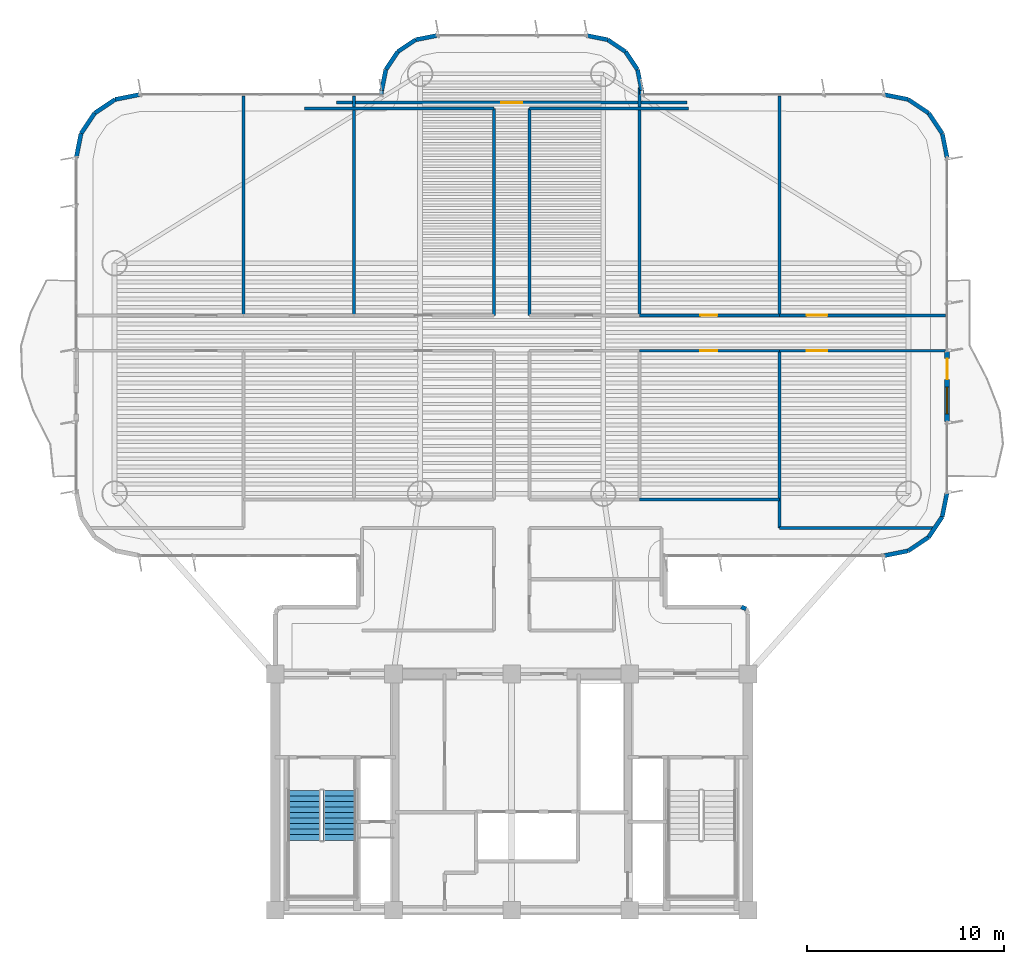
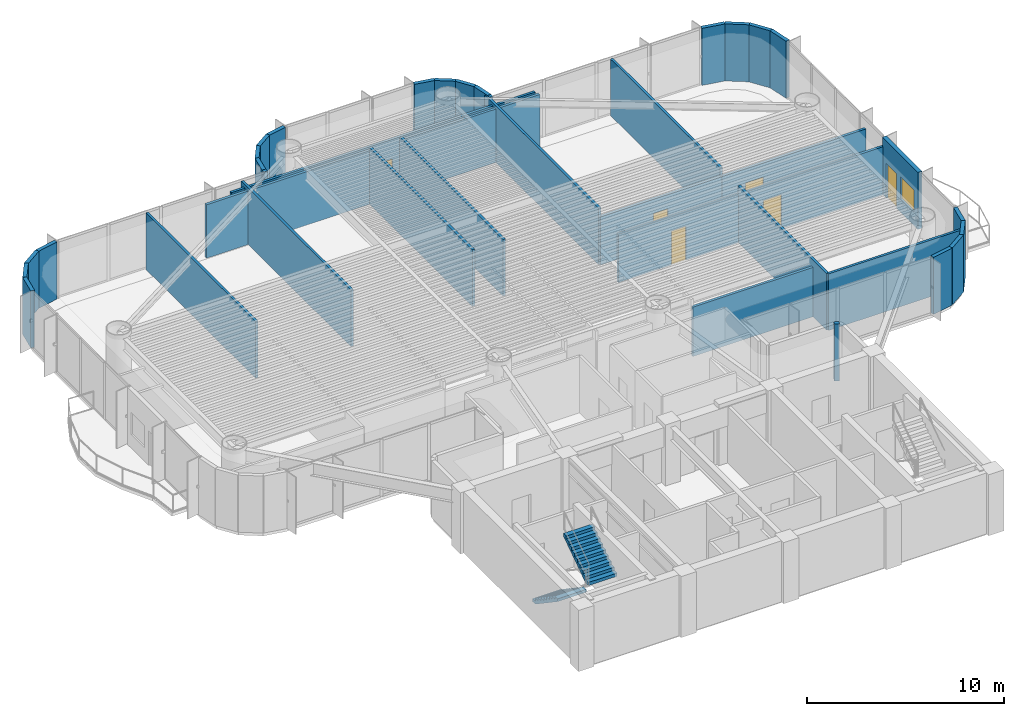
# One storey, part 11 of 16: 40 walls, 6 doors, 2 stair flights, 1 window, 7 openings, 1 element without a shape of its own.
"""IFC4 building model written with IfcOpenShell, lengths in metres."""

from ifc_helpers import new_model, si_unit, direction, frame, frame_2d, origin, origin_2d, place, context, subcontext, project, spatial, polyline, rectangle, outline, extrude, source, transform, mapped, material, layer, layer_set, type_object, element, fill, aggregate, save


model = new_model("IFC4")

# Units and contexts
model_context = context("Model", 3, precision=1e-05, world=origin(), true_north=direction((0.0, 1.0)))
body_context = subcontext(model_context, "Body", "Model", "MODEL_VIEW")
ifc_project = project(units=[si_unit("LENGTHUNIT", "METRE"), si_unit("AREAUNIT", "SQUARE_METRE"), si_unit("VOLUMEUNIT", "CUBIC_METRE"), si_unit("PLANEANGLEUNIT", "RADIAN"), si_unit("MASSUNIT", "GRAM", prefix="KILO")], contexts=[model_context])

# Site, building, storey
site_placement = place(None, origin())
site = spatial("IfcSite", under=ifc_project, at=site_placement, CompositionType="ELEMENT")
building_placement = place(site_placement, origin())
building = spatial("IfcBuilding", under=site, at=building_placement, Name="Brelvock Crest Care Tower", CompositionType="ELEMENT")
storey_placement = place(building_placement, frame((0.0, 0.0, 123.840087890625)))
storey = spatial("IfcBuildingStorey", under=building, at=storey_placement, Name="L31", CompositionType="ELEMENT", Elevation=123.840087890625)

# Wall, openings, door, window
ifc_material_1 = material(Name="Precast concrete N40 (40 MPa)", Category="concrete")
ifc_layer_1 = layer(ifc_material_1, 0.239990234375, Name="WL-EX1")
ifc_layer_set_1 = layer_set([ifc_layer_1], Name="Precast concrete N40 (40 MPa)")
wall_type_1 = type_object("IfcWallType", Name="WL-EX1", PredefinedType="SOLIDWALL", material=ifc_layer_set_1)
wall_1_placement = place(storey_placement, frame((58.10009765625, 34.39990234375, 0.0), z_axis=(0.0, 0.0, 1.0), x_axis=(0.0, -1.0, 0.0)))
wall_1 = element("IfcWall", 1, at=wall_1_placement, inside=storey, type_object=wall_type_1, Name="L31 Exterior Spandrel Wall WL-BAL-L31-E", PredefinedType="SOLIDWALL", context=body_context, shape_type="SweptSolid", body=[
    extrude(rectangle(XDim=3.599853515625, YDim=0.239990234375, at=frame_2d((1.7998046875, 0.0))), origin(), (0.0, 0.0, 1.0), 3.530029296875),
])
opening_1_placement = place(wall_1_placement, frame((0.39990234375, 0.0, 0.0)))
opening_1 = element("IfcOpeningElement", 2, at=opening_1_placement, cuts=wall_1, Name="Opening BD-1", PredefinedType="OPENING", context=body_context, shape_type="SweptSolid", body=[
    extrude(rectangle(XDim=1.050048828125, YDim=2.14990234375, at=origin_2d()), frame((0.52490234375, 0.1298828125, 1.074951171875), z_axis=(0.0, -1.0, 0.0), x_axis=(1.0, 0.0, 0.0)), (0.0, 0.0, 1.0), 0.260009765625),
])
opening_2_placement = place(wall_1_placement, frame((1.85009765625, 0.0, 0.85009765625)))
opening_2 = element("IfcOpeningElement", 3, at=opening_2_placement, cuts=wall_1, Name="Opening W-01", PredefinedType="OPENING", context=body_context, shape_type="SweptSolid", body=[
    extrude(rectangle(XDim=1.35009765625, YDim=1.35009765625, at=origin_2d()), frame((0.675048828125, 0.1298828125, 0.675048828125), z_axis=(0.0, -1.0, 0.0), x_axis=(1.0, 0.0, 0.0)), (0.0, 0.0, 1.0), 0.260009765625),
])
ifc_material_2 = material(Name="Dark Glass Double Glazed Low-E", Category="glass")
door_type_1 = type_object("IfcDoorType", Name="DR-BAL1", OperationType="NOTDEFINED", PredefinedType="DOOR", material=ifc_material_2)
shared_shape_1 = source(origin(), body_context, "Body", "SweptSolid", [
    extrude(rectangle(XDim=1.050048828125, YDim=2.14990234375, at=origin_2d()), frame((0.52490234375, 0.02490234375, 1.074951171875), z_axis=(0.0, -1.0, 0.0), x_axis=(1.0, 0.0, 0.0)), (0.0, 0.0, 1.0), 0.050048828125),
])
door_1_placement = place(opening_1_placement, origin())
door_1 = element("IfcDoor", 4, at=door_1_placement, inside=storey, type_object=door_type_1, Name="L31 E Wave Balcony Glazed Door", OperationType="SINGLE_SWING_RIGHT", OverallHeight=2.14990234375, OverallWidth=1.050048828125, PredefinedType="DOOR", context=body_context, shape_type="MappedRepresentation", body=[
    mapped(shared_shape_1, transform((0.0, 0.0, 0.0), x_axis=(1.0, 0.0, 0.0), y_axis=(0.0, 1.0, 0.0), z_axis=(0.0, 0.0, 1.0), scale=1.0)),
])
fill(opening_1, door_1)
window_type = type_object("IfcWindowType", Name="WN-EX1", PartitioningType="SINGLE_PANEL", PredefinedType="WINDOW", material=ifc_material_2)
shared_shape_2 = source(origin(), body_context, "Body", "SweptSolid", [
    extrude(rectangle(XDim=1.35009765625, YDim=1.35009765625, at=origin_2d()), frame((0.675048828125, 0.030029296875, 0.675048828125), z_axis=(0.0, -1.0, 0.0), x_axis=(1.0, 0.0, 0.0)), (0.0, 0.0, 1.0), 0.06005859375),
])
window_placement = place(opening_2_placement, origin())
window = element("IfcWindow", 5, at=window_placement, inside=storey, type_object=window_type, Name="L31 E Suite Casement Window", OverallHeight=1.35009765625, OverallWidth=1.35009765625, PartitioningType="SINGLE_PANEL", PredefinedType="WINDOW", context=body_context, shape_type="MappedRepresentation", body=[
    mapped(shared_shape_2, transform((0.0, 0.0, 0.0), x_axis=(1.0, 0.0, 0.0), y_axis=(0.0, 1.0, 0.0), z_axis=(0.0, 0.0, 1.0), scale=1.0)),
])
fill(opening_2, window)

# Walls
ifc_layer_2 = layer(ifc_material_1, 0.215087890625, Name="WL-EX2")
ifc_layer_set_2 = layer_set([ifc_layer_2], Name="Precast concrete N40 (40 MPa)")
wall_type_2 = type_object("IfcWallType", Name="WL-EX2", PredefinedType="SOLIDWALL", material=ifc_layer_set_2)
for number, where, z_axis, x_axis, name in (
    (6, (13.89990234375, 44.199951171875, 0.0), (0.0, 0.0, 1.0), (0.195138390419, 0.980775717779, 0.0), "L31 Rounded Corner Wall 18"),
    (7, (14.1435546875, 45.424560546875, 0.0), (0.0, 0.0, 1.0), (0.555692485475, 0.831387912822, 0.0), "L31 Rounded Corner Wall 19"),
    (8, (14.83740234375, 46.462646484375, 0.0), (0.0, 0.0, 1.0), (0.831387912822, 0.555692485475, 0.0), "L31 Rounded Corner Wall 20"),
    (9, (15.87548828125, 47.156494140625, 0.0), (0.0, 0.0, 1.0), (0.980813122964, 0.194950295773, 0.0), "L31 Rounded Corner Wall 21"),
):
    element("IfcWall", number, at=place(storey_placement, frame(where, z_axis=z_axis, x_axis=x_axis)), inside=storey, type_object=wall_type_2, Name=name, PredefinedType="SOLIDWALL", context=body_context, shape_type="SweptSolid", body=[
        extrude(rectangle(XDim=1.24853515625, YDim=0.215087890625, at=frame_2d((0.624267578125, 0.0))), origin(), (0.0, 0.0, 1.0), 3.530029296875),
    ])
wall_2_placement = place(storey_placement, frame((29.39990234375, 47.39990234375, 0.0), z_axis=(0.0, 0.0, 1.0), x_axis=(0.0, 1.0, 0.0)))
element("IfcWall", 10, at=wall_2_placement, inside=storey, type_object=wall_type_2, Name="L31 Rounded Corner Wall 23", PredefinedType="SOLIDWALL", context=body_context, shape_type="SweptSolid", body=[
    extrude(rectangle(XDim=0.2001953125, YDim=0.215087890625, at=frame_2d((0.10009765625, 0.0))), origin(), (0.0, 0.0, 1.0), 3.530029296875),
])
wall_3_placement = place(storey_placement, frame((29.39990234375, 47.60009765625, 0.0), z_axis=(0.0, 0.0, 1.0), x_axis=(0.195127417394, 0.980777900945, 0.0)))
element("IfcWall", 11, at=wall_3_placement, inside=storey, type_object=wall_type_2, Name="L31 Rounded Corner Wall 24", PredefinedType="SOLIDWALL", context=body_context, shape_type="SweptSolid", body=[
    extrude(rectangle(XDim=1.09228515625, YDim=0.215087890625, at=frame_2d((0.546142578125, 0.0))), origin(), (0.0, 0.0, 1.0), 3.530029296875),
])
wall_4_placement = place(storey_placement, frame((29.613037109375, 48.67138671875, 0.0), z_axis=(0.0, 0.0, 1.0), x_axis=(0.555679482341, 0.831396603857, 0.0)))
element("IfcWall", 12, at=wall_4_placement, inside=storey, type_object=wall_type_2, Name="L31 Rounded Corner Wall 25", PredefinedType="SOLIDWALL", context=body_context, shape_type="SweptSolid", body=[
    extrude(rectangle(XDim=1.0927734375, YDim=0.215087890625, at=frame_2d((0.54638671875, 0.0))), origin(), (0.0, 0.0, 1.0), 3.530029296875),
])
for number, where, z_axis, x_axis, name in (
    (13, (30.22021484375, 49.579833984375, 0.0), (0.0, 0.0, 1.0), (0.831327592857, 0.555782721353, 0.0), "L31 Rounded Corner Wall 26"),
    (14, (31.12841796875, 50.18701171875, 0.0), (0.0, 0.0, 1.0), (0.980829143587, 0.194869677195, 0.0), "L31 Rounded Corner Wall 27"),
    (15, (39.800048828125, 50.39990234375, 0.0), (0.0, 0.0, 1.0), (0.980829143587, -0.194869677195, 0.0), "L31 Rounded Corner Wall 29"),
    (16, (40.87158203125, 50.18701171875, 0.0), (0.0, 0.0, 1.0), (0.831327592857, -0.555782721353, 0.0), "L31 Rounded Corner Wall 30"),
):
    element("IfcWall", number, at=place(storey_placement, frame(where, z_axis=z_axis, x_axis=x_axis)), inside=storey, type_object=wall_type_2, Name=name, PredefinedType="SOLIDWALL", context=body_context, shape_type="SweptSolid", body=[
        extrude(rectangle(XDim=1.092529296875, YDim=0.215087890625, at=frame_2d((0.54638671875, 0.0))), origin(), (0.0, 0.0, 1.0), 3.530029296875),
    ])
wall_5_placement = place(storey_placement, frame((41.77978515625, 49.579833984375, 0.0), z_axis=(0.0, 0.0, 1.0), x_axis=(0.555679482341, -0.831396603857, 0.0)))
element("IfcWall", 17, at=wall_5_placement, inside=storey, type_object=wall_type_2, Name="L31 Rounded Corner Wall 31", PredefinedType="SOLIDWALL", context=body_context, shape_type="SweptSolid", body=[
    extrude(rectangle(XDim=1.0927734375, YDim=0.215087890625, at=frame_2d((0.54638671875, 0.0))), origin(), (0.0, 0.0, 1.0), 3.530029296875),
])
wall_6_placement = place(storey_placement, frame((42.386962890625, 48.67138671875, 0.0), z_axis=(0.0, 0.0, 1.0), x_axis=(0.195127417394, -0.980777900945, 0.0)))
element("IfcWall", 18, at=wall_6_placement, inside=storey, type_object=wall_type_2, Name="L31 Rounded Corner Wall 32", PredefinedType="SOLIDWALL", context=body_context, shape_type="SweptSolid", body=[
    extrude(rectangle(XDim=1.09228515625, YDim=0.215087890625, at=frame_2d((0.546142578125, 0.0))), origin(), (0.0, 0.0, 1.0), 3.530029296875),
])
wall_7_placement = place(storey_placement, frame((42.60009765625, 47.60009765625, 0.0), z_axis=(0.0, 0.0, 1.0), x_axis=(0.0, -1.0, 0.0)))
element("IfcWall", 19, at=wall_7_placement, inside=storey, type_object=wall_type_2, Name="L31 Rounded Corner Wall 33", PredefinedType="SOLIDWALL", context=body_context, shape_type="SweptSolid", body=[
    extrude(rectangle(XDim=0.2001953125, YDim=0.215087890625, at=frame_2d((0.10009765625, 0.0))), origin(), (0.0, 0.0, 1.0), 3.530029296875),
])
for number, where, z_axis, x_axis, name in (
    (20, (54.89990234375, 47.39990234375, 0.0), (0.0, 0.0, 1.0), (0.980813122964, -0.194950295773, 0.0), "L31 Rounded Corner Wall 35"),
    (21, (56.12451171875, 47.156494140625, 0.0), (0.0, 0.0, 1.0), (0.831387912822, -0.555692485475, 0.0), "L31 Rounded Corner Wall 36"),
    (22, (57.16259765625, 46.462646484375, 0.0), (0.0, 0.0, 1.0), (0.555692485475, -0.831387912822, 0.0), "L31 Rounded Corner Wall 37"),
    (23, (57.8564453125, 45.424560546875, 0.0), (0.0, 0.0, 1.0), (0.195138390419, -0.980775717779, 0.0), "L31 Rounded Corner Wall 38"),
    (24, (58.10009765625, 27.199951171875, 0.0), (0.0, 0.0, 1.0), (-0.195138390419, -0.980775717779, 0.0), "L31 Rounded Corner Wall 40"),
    (25, (57.8564453125, 25.975341796875, 0.0), (0.0, 0.0, 1.0), (-0.555692485475, -0.831387912822, 0.0), "L31 Rounded Corner Wall 41"),
    (26, (57.16259765625, 24.937255859375, 0.0), (0.0, 0.0, 1.0), (-0.831478245117, -0.555557312883, 0.0), "L31 Rounded Corner Wall 42"),
    (27, (56.12451171875, 24.24365234375, 0.0), (0.0, 0.0, 1.0), (-0.980775717779, -0.195138390419, 0.0), "L31 Rounded Corner Wall 43"),
):
    element("IfcWall", number, at=place(storey_placement, frame(where, z_axis=z_axis, x_axis=x_axis)), inside=storey, type_object=wall_type_2, Name=name, PredefinedType="SOLIDWALL", context=body_context, shape_type="SweptSolid", body=[
        extrude(rectangle(XDim=1.24853515625, YDim=0.215087890625, at=frame_2d((0.624267578125, 0.0))), origin(), (0.0, 0.0, 1.0), 3.530029296875),
    ])
wall_8_placement = place(storey_placement, frame((47.64990234375, 21.39990234375, 0.0), z_axis=(0.0, 0.0, 1.0), x_axis=(0.924205486139, -0.381895560841, 0.0)))
element("IfcWall", 28, at=wall_8_placement, inside=storey, type_object=wall_type_2, Name="L31 Rounded Corner Wall 47", PredefinedType="SOLIDWALL", context=body_context, shape_type="SweptSolid", body=[
    extrude(rectangle(XDim=0.267822265625, YDim=0.215087890625, at=frame_2d((0.1337890625, 0.0))), origin(), (0.0, 0.0, 1.0), 3.530029296875),
])
ifc_material_3 = material(Name="Masonry Blockwork Acoustic Partition", Category="masonry")
ifc_layer_3 = layer(ifc_material_3, 0.14990234375, Name="WL-INT1")
ifc_layer_set_3 = layer_set([ifc_layer_3], Name="Masonry Blockwork Acoustic Partition")
wall_type_3 = type_object("IfcWallType", Name="WL-INT1", PredefinedType="PARTITIONING", material=ifc_layer_set_3)
wall_9_placement = place(storey_placement, frame((49.60009765625, 25.39990234375, 0.0), z_axis=(0.0, 0.0, 1.0), x_axis=(1.0, 0.0, 0.0)))
element("IfcWall", 29, at=wall_9_placement, inside=storey, type_object=wall_type_3, Name="L31 Interior Wall WL-BX-L31-SE-S", PredefinedType="PARTITIONING", context=body_context, shape_type="SweptSolid", body=[
    extrude(rectangle(XDim=7.775634765625, YDim=0.14990234375, at=frame_2d((3.8876953125, 0.0))), origin(), (0.0, 0.0, 1.0), 3.5),
])
wall_10_placement = place(storey_placement, frame((42.488037109375, 26.85009765625, 0.0), z_axis=(0.0, 0.0, 1.0), x_axis=(1.0, 0.0, 0.0)))
element("IfcWall", 30, at=wall_10_placement, inside=storey, type_object=wall_type_3, Name="L31 Interior Wall WL-BX-L31-ISE2-S", PredefinedType="PARTITIONING", context=body_context, shape_type="SweptSolid", body=[
    extrude(rectangle(XDim=7.112060546875, YDim=0.14990234375, at=frame_2d((3.55615234375, 0.0))), origin(), (0.0, 0.0, 1.0), 3.054931640625),
])

# Wall, opening, door
wall_11_placement = place(storey_placement, frame((42.488037109375, 34.39990234375, 0.0), z_axis=(0.0, 0.0, 1.0), x_axis=(1.0, 0.0, 0.0)))
wall_11 = element("IfcWall", 31, at=wall_11_placement, inside=storey, type_object=wall_type_3, Name="L31 Interior Wall WL-RM-L31-ISE2", PredefinedType="PARTITIONING", context=body_context, shape_type="SweptSolid", body=[
    extrude(rectangle(XDim=7.112060546875, YDim=0.14990234375, at=frame_2d((3.55615234375, 0.0))), origin(), (0.0, 0.0, 1.0), 2.98193359375),
])
opening_3_placement = place(wall_11_placement, frame((3.095947265625, 0.0, 0.0)))
opening_3 = element("IfcOpeningElement", 32, at=opening_3_placement, cuts=wall_11, Name="Opening ID-1", PredefinedType="OPENING", context=body_context, shape_type="SweptSolid", body=[
    extrude(rectangle(XDim=0.860107421875, YDim=2.10009765625, at=origin_2d()), frame((0.43017578125, 0.0849609375, 1.050048828125), z_axis=(0.0, -1.0, 0.0), x_axis=(1.0, 0.0, 0.0)), (0.0, 0.0, 1.0), 0.169921875),
])
ifc_material_4 = material(Name="Engineered Hardwood Timber", Category="wood")
door_type_2 = type_object("IfcDoorType", Name="DR-INT1", OperationType="NOTDEFINED", PredefinedType="DOOR", material=ifc_material_4)
shared_shape_3 = source(origin(), body_context, "Body", "SweptSolid", [
    extrude(rectangle(XDim=0.860107421875, YDim=2.10009765625, at=origin_2d()), frame((0.43017578125, 0.02490234375, 1.050048828125), z_axis=(0.0, -1.0, 0.0), x_axis=(1.0, 0.0, 0.0)), (0.0, 0.0, 1.0), 0.050048828125),
])
door_2_placement = place(opening_3_placement, origin())
door_2 = element("IfcDoor", 33, at=door_2_placement, inside=storey, type_object=door_type_2, Name="L31 Senior Telehealth Study Door ISE2", OperationType="SINGLE_SWING_LEFT", OverallHeight=2.10009765625, OverallWidth=0.860107421875, PredefinedType="DOOR", context=body_context, shape_type="MappedRepresentation", body=[
    mapped(shared_shape_3, transform((0.0, 0.0, 0.0), x_axis=(1.0, 0.0, 0.0), y_axis=(0.0, 1.0, 0.0), z_axis=(0.0, 0.0, 1.0), scale=1.0)),
])
fill(opening_3, door_2)

wall_12_placement = place(storey_placement, frame((49.60009765625, 34.39990234375, 0.0), z_axis=(0.0, 0.0, 1.0), x_axis=(1.0, 0.0, 0.0)))
wall_12 = element("IfcWall", 34, at=wall_12_placement, inside=storey, type_object=wall_type_3, Name="L31 Interior Wall WL-RM-L31-SE", PredefinedType="PARTITIONING", context=body_context, shape_type="SweptSolid", body=[
    extrude(rectangle(XDim=8.419921875, YDim=0.14990234375, at=frame_2d((4.2099609375, 0.0))), origin(), (0.0, 0.0, 1.0), 2.98193359375),
])
opening_4_placement = place(wall_12_placement, frame((1.375, 0.0, 0.0)))
opening_4 = element("IfcOpeningElement", 35, at=opening_4_placement, cuts=wall_12, Name="Opening CLD-1", PredefinedType="OPENING", context=body_context, shape_type="SweptSolid", body=[
    extrude(rectangle(XDim=1.050048828125, YDim=2.10009765625, at=origin_2d()), frame((0.52490234375, 0.0849609375, 1.050048828125), z_axis=(0.0, -1.0, 0.0), x_axis=(1.0, 0.0, 0.0)), (0.0, 0.0, 1.0), 0.169921875),
])
door_type_3 = type_object("IfcDoorType", Name="DR-CLN1", OperationType="NOTDEFINED", PredefinedType="DOOR", material=ifc_material_4)
shared_shape_4 = source(origin(), body_context, "Body", "SweptSolid", [
    extrude(rectangle(XDim=1.050048828125, YDim=2.10009765625, at=origin_2d()), frame((0.52490234375, 0.02490234375, 1.050048828125), z_axis=(0.0, -1.0, 0.0), x_axis=(1.0, 0.0, 0.0)), (0.0, 0.0, 1.0), 0.050048828125),
])
door_3_placement = place(opening_4_placement, origin())
door_3 = element("IfcDoor", 36, at=door_3_placement, inside=storey, type_object=door_type_3, Name="L31 Senior Creative Art Workshop Door SE", OperationType="SINGLE_SWING_LEFT", OverallHeight=2.10009765625, OverallWidth=1.050048828125, PredefinedType="DOOR", context=body_context, shape_type="MappedRepresentation", body=[
    mapped(shared_shape_4, transform((0.0, 0.0, 0.0), x_axis=(1.0, 0.0, 0.0), y_axis=(0.0, 1.0, 0.0), z_axis=(0.0, 0.0, 1.0), scale=1.0)),
])
fill(opening_4, door_3)

wall_13_placement = place(storey_placement, frame((42.488037109375, 36.199951171875, 0.0), z_axis=(0.0, 0.0, 1.0), x_axis=(1.0, 0.0, 0.0)))
wall_13 = element("IfcWall", 37, at=wall_13_placement, inside=storey, type_object=wall_type_3, Name="L31 Interior Wall WL-RM-L31-INE2", PredefinedType="PARTITIONING", context=body_context, shape_type="SweptSolid", body=[
    extrude(rectangle(XDim=7.112060546875, YDim=0.14990234375, at=frame_2d((3.55615234375, 0.0))), origin(), (0.0, 0.0, 1.0), 2.98193359375),
])
opening_5_placement = place(wall_13_placement, frame((3.095947265625, 0.0, 0.0)))
opening_5 = element("IfcOpeningElement", 38, at=opening_5_placement, cuts=wall_13, Name="Opening ID-1", PredefinedType="OPENING", context=body_context, shape_type="SweptSolid", body=[
    extrude(rectangle(XDim=0.860107421875, YDim=2.10009765625, at=origin_2d()), frame((0.43017578125, 0.0849609375, 1.050048828125), z_axis=(0.0, -1.0, 0.0), x_axis=(1.0, 0.0, 0.0)), (0.0, 0.0, 1.0), 0.169921875),
])
door_4_placement = place(opening_5_placement, origin())
door_4 = element("IfcDoor", 39, at=door_4_placement, inside=storey, type_object=door_type_2, Name="L31 Senior Telehealth Study Door INE2", OperationType="SINGLE_SWING_LEFT", OverallHeight=2.10009765625, OverallWidth=0.860107421875, PredefinedType="DOOR", context=body_context, shape_type="MappedRepresentation", body=[
    mapped(shared_shape_3, transform((0.0, 0.0, 0.0), x_axis=(1.0, 0.0, 0.0), y_axis=(0.0, 1.0, 0.0), z_axis=(0.0, 0.0, 1.0), scale=1.0)),
])
fill(opening_5, door_4)

wall_14_placement = place(storey_placement, frame((49.60009765625, 36.199951171875, 0.0), z_axis=(0.0, 0.0, 1.0), x_axis=(1.0, 0.0, 0.0)))
wall_14 = element("IfcWall", 40, at=wall_14_placement, inside=storey, type_object=wall_type_3, Name="L31 Interior Wall WL-RM-L31-NE", PredefinedType="PARTITIONING", context=body_context, shape_type="SweptSolid", body=[
    extrude(rectangle(XDim=8.419921875, YDim=0.14990234375, at=frame_2d((4.2099609375, 0.0))), origin(), (0.0, 0.0, 1.0), 2.98193359375),
])
opening_6_placement = place(wall_14_placement, frame((1.375, 0.0, 0.0)))
opening_6 = element("IfcOpeningElement", 41, at=opening_6_placement, cuts=wall_14, Name="Opening CLD-1", PredefinedType="OPENING", context=body_context, shape_type="SweptSolid", body=[
    extrude(rectangle(XDim=1.050048828125, YDim=2.10009765625, at=origin_2d()), frame((0.52490234375, 0.0849609375, 1.050048828125), z_axis=(0.0, -1.0, 0.0), x_axis=(1.0, 0.0, 0.0)), (0.0, 0.0, 1.0), 0.169921875),
])
door_5_placement = place(opening_6_placement, origin())
door_5 = element("IfcDoor", 42, at=door_5_placement, inside=storey, type_object=door_type_3, Name="L31 Senior Creative Art Workshop Door NE", OperationType="SINGLE_SWING_LEFT", OverallHeight=2.10009765625, OverallWidth=1.050048828125, PredefinedType="DOOR", context=body_context, shape_type="MappedRepresentation", body=[
    mapped(shared_shape_4, transform((0.0, 0.0, 0.0), x_axis=(1.0, 0.0, 0.0), y_axis=(0.0, 1.0, 0.0), z_axis=(0.0, 0.0, 1.0), scale=1.0)),
])
fill(opening_6, door_5)

# Walls
wall_15_placement = place(storey_placement, frame((25.488037109375, 46.699951171875, 0.0), z_axis=(0.0, 0.0, 1.0), x_axis=(1.0, 0.0, 0.0)))
element("IfcWall", 43, at=wall_15_placement, inside=storey, type_object=wall_type_3, Name="L31 Interior Wall WL-BX-L31-INW2-N", PredefinedType="PARTITIONING", context=body_context, shape_type="SweptSolid", body=[
    extrude(rectangle(XDim=9.612060546875, YDim=0.14990234375, at=frame_2d((4.80615234375, 0.0))), origin(), (0.0, 0.0, 1.0), 3.307861328125),
])
wall_16_placement = place(storey_placement, frame((36.89990234375, 46.699951171875, 0.0), z_axis=(0.0, 0.0, 1.0), x_axis=(1.0, 0.0, 0.0)))
element("IfcWall", 44, at=wall_16_placement, inside=storey, type_object=wall_type_3, Name="L31 Interior Wall WL-BX-L31-INE1-N", PredefinedType="PARTITIONING", context=body_context, shape_type="SweptSolid", body=[
    extrude(rectangle(XDim=8.088134765625, YDim=0.14990234375, at=frame_2d((4.0439453125, 0.0))), origin(), (0.0, 0.0, 1.0), 3.307861328125),
])

# Wall, opening, door
wall_17_placement = place(storey_placement, frame((27.10009765625, 47.0, 0.0), z_axis=(0.0, 0.0, 1.0), x_axis=(1.0, 0.0, 0.0)))
wall_17 = element("IfcWall", 45, at=wall_17_placement, inside=storey, type_object=wall_type_3, Name="L31 Interior Wall WL-RM-L31-NHUB", PredefinedType="PARTITIONING", context=body_context, shape_type="SweptSolid", body=[
    extrude(rectangle(XDim=17.7998046875, YDim=0.14990234375, at=frame_2d((8.89990234375, 0.0))), origin(), (0.0, 0.0, 1.0), 3.307861328125),
])
opening_7_placement = place(wall_17_placement, frame((8.375, 0.0, 0.0)))
opening_7 = element("IfcOpeningElement", 46, at=opening_7_placement, cuts=wall_17, Name="Opening CLD-1", PredefinedType="OPENING", context=body_context, shape_type="SweptSolid", body=[
    extrude(rectangle(XDim=1.050048828125, YDim=2.10009765625, at=origin_2d()), frame((0.52490234375, 0.0849609375, 1.050048828125), z_axis=(0.0, -1.0, 0.0), x_axis=(1.0, 0.0, 0.0)), (0.0, 0.0, 1.0), 0.169921875),
])
door_6_placement = place(opening_7_placement, origin())
door_6 = element("IfcDoor", 47, at=door_6_placement, inside=storey, type_object=door_type_3, Name="L31 North Panorama Sunroom Door NHUB", OperationType="SINGLE_SWING_LEFT", OverallHeight=2.10009765625, OverallWidth=1.050048828125, PredefinedType="DOOR", context=body_context, shape_type="MappedRepresentation", body=[
    mapped(shared_shape_4, transform((0.0, 0.0, 0.0), x_axis=(1.0, 0.0, 0.0), y_axis=(0.0, 1.0, 0.0), z_axis=(0.0, 0.0, 1.0), scale=1.0)),
])
fill(opening_7, door_6)

# Walls
wall_18_placement = place(storey_placement, frame((22.39990234375, 36.199951171875, 0.0), z_axis=(0.0, 0.0, 1.0), x_axis=(0.0, 1.0, 0.0)))
element("IfcWall", 48, at=wall_18_placement, inside=storey, type_object=wall_type_3, Name="L31 Interior Wall WL-BX-L31-INW1-W", PredefinedType="PARTITIONING", context=body_context, shape_type="SweptSolid", body=[
    extrude(rectangle(XDim=11.120849609375, YDim=0.14990234375, at=frame_2d((5.560546875, 0.0))), origin(), (0.0, 0.0, 1.0), 3.5),
])
wall_19_placement = place(storey_placement, frame((27.988037109375, 36.199951171875, 0.0), z_axis=(0.0, 0.0, 1.0), x_axis=(0.0, 1.0, 0.0)))
element("IfcWall", 49, at=wall_19_placement, inside=storey, type_object=wall_type_3, Name="L31 Interior Wall WL-BX-L31-INW1-E", PredefinedType="PARTITIONING", context=body_context, shape_type="SweptSolid", body=[
    extrude(rectangle(XDim=11.121337890625, YDim=0.14990234375, at=frame_2d((5.560546875, 0.0))), origin(), (0.0, 0.0, 1.0), 3.5),
])
for number, where, z_axis, x_axis, name in (
    (50, (35.10009765625, 36.199951171875, 0.0), (0.0, 0.0, 1.0), (0.0, 1.0, 0.0), "L31 Interior Wall WL-BX-L31-INW2-E"),
    (51, (36.89990234375, 36.199951171875, 0.0), (0.0, 0.0, 1.0), (0.0, 1.0, 0.0), "L31 Interior Wall WL-BX-L31-INE1-W"),
):
    element("IfcWall", number, at=place(storey_placement, frame(where, z_axis=z_axis, x_axis=x_axis)), inside=storey, type_object=wall_type_3, Name=name, PredefinedType="PARTITIONING", context=body_context, shape_type="SweptSolid", body=[
        extrude(rectangle(XDim=10.5, YDim=0.14990234375, at=frame_2d((5.25, 0.0))), origin(), (0.0, 0.0, 1.0), 3.5),
    ])
wall_20_placement = place(storey_placement, frame((42.488037109375, 36.199951171875, 0.0), z_axis=(0.0, 0.0, 1.0), x_axis=(0.0, 1.0, 0.0)))
element("IfcWall", 52, at=wall_20_placement, inside=storey, type_object=wall_type_3, Name="L31 Interior Wall WL-BX-L31-INE1-E", PredefinedType="PARTITIONING", context=body_context, shape_type="SweptSolid", body=[
    extrude(rectangle(XDim=11.552978515625, YDim=0.14990234375, at=frame_2d((5.7763671875, 0.0))), origin(), (0.0, 0.0, 1.0), 3.5),
])
wall_21_placement = place(storey_placement, frame((49.60009765625, 25.39990234375, 0.0), z_axis=(0.0, 0.0, 1.0), x_axis=(0.0, 1.0, 0.0)))
element("IfcWall", 53, at=wall_21_placement, inside=storey, type_object=wall_type_3, Name="L31 Interior Wall WL-BX-L31-SE-W", PredefinedType="PARTITIONING", context=body_context, shape_type="SweptSolid", body=[
    extrude(rectangle(XDim=9.0, YDim=0.14990234375, at=frame_2d((4.5, 0.0))), origin(), (0.0, 0.0, 1.0), 3.5),
])
wall_22_placement = place(storey_placement, frame((49.60009765625, 36.199951171875, 0.0), z_axis=(0.0, 0.0, 1.0), x_axis=(0.0, 1.0, 0.0)))
element("IfcWall", 54, at=wall_22_placement, inside=storey, type_object=wall_type_3, Name="L31 Interior Wall WL-BX-L31-INE2-E", PredefinedType="PARTITIONING", context=body_context, shape_type="SweptSolid", body=[
    extrude(rectangle(XDim=11.120849609375, YDim=0.14990234375, at=frame_2d((5.560546875, 0.0))), origin(), (0.0, 0.0, 1.0), 3.5),
])

# Stair, stair flights
ifc_material_5 = material(Name="Concrete N40 (40 MPa)", Category="concrete")
stair_type = type_object("IfcStairType", Name="ST-CORE1", PredefinedType="HALF_TURN_STAIR", material=ifc_material_5)
stair_placement = place(storey_placement, origin())
stair = element("IfcStair", 55, at=stair_placement, inside=storey, type_object=stair_type, Name="L31 Fire-Isolated Core Stair ST-1", PredefinedType="HALF_TURN_STAIR")
stair_flight_type = type_object("IfcStairFlightType", Name="STF-1", PredefinedType="STRAIGHT", material=ifc_material_5)
stair_flight_1_placement = place(storey_placement, frame((25.469970703125, 12.080078125, 0.0), z_axis=(0.0, 0.0, 1.0), x_axis=(0.0, -1.0, 0.0)))
stair_flight_1 = element("IfcStairFlight", 56, at=stair_flight_1_placement, type_object=stair_flight_type, Name="ST-1 flight 1", NumberOfRisers=10, NumberOfTreads=9, PredefinedType="STRAIGHT", RiserHeight=0.189, TreadLength=0.28, context=body_context, shape_type="SweptSolid", body=[
    extrude(outline(polyline([(-0.00390625, -0.014892578125), (-0.00390625, -0.0078125), (-0.00390625, -0.00048828125), (-0.00390625, 0.0068359375), (-0.00390625, 0.01416015625), (-0.00390625, 0.021484375), (-0.00390625, 0.02880859375), (-0.00390625, 0.035888671875), (-0.00390625, 0.043212890625), (-0.00390625, 0.050537109375), (-0.00390625, 0.057861328125), (-0.00390625, 0.065185546875), (-0.00390625, 0.072509765625), (-0.00390625, 0.07958984375), (-0.00390625, 0.0869140625), (-0.00390625, 0.09423828125), (-0.00390625, 0.1015625), (-0.00390625, 0.10888671875), (-0.00390625, 0.1162109375), (-0.00390625, 0.12353515625), (-0.00390625, 0.130615234375), (-0.00390625, 0.137939453125), (-0.00390625, 0.145263671875), (-0.00390625, 0.152587890625), (-0.00390625, 0.159912109375), (-0.00390625, 0.167236328125), (-0.00390625, 0.17431640625), (-0.00390625, 0.181640625), (-0.00390625, 0.18896484375), (0.0, 0.18896484375), (0.280029296875, 0.18896484375), (0.280029296875, 0.3779296875), (0.56005859375, 0.3779296875), (0.56005859375, 0.56689453125), (0.840087890625, 0.56689453125), (0.840087890625, 0.756103515625), (1.1201171875, 0.756103515625), (1.1201171875, 0.945068359375), (1.39990234375, 0.945068359375), (1.39990234375, 1.134033203125), (1.679931640625, 1.134033203125), (1.679931640625, 1.322998046875), (1.9599609375, 1.322998046875), (1.9599609375, 1.511962890625), (2.239990234375, 1.511962890625), (2.239990234375, 1.700927734375), (2.52001953125, 1.700927734375), (2.52392578125, 1.700927734375), (2.523681640625, 1.70068359375), (2.52392578125, 1.700439453125), (2.523681640625, 1.699951171875), (2.52392578125, 1.69970703125), (2.523681640625, 1.699462890625), (2.52392578125, 1.698974609375), (2.523681640625, 1.69873046875), (2.52392578125, 1.698486328125), (2.523681640625, 1.697998046875), (2.52392578125, 1.69775390625), (2.523681640625, 1.697509765625), (2.52392578125, 1.697021484375), (2.523681640625, 1.69677734375), (2.52392578125, 1.696533203125), (2.523681640625, 1.6962890625), (2.52392578125, 1.69580078125), (2.523681640625, 1.695556640625), (2.52392578125, 1.6953125), (2.523681640625, 1.69482421875), (2.52392578125, 1.694580078125), (2.523681640625, 1.6943359375), (2.52392578125, 1.69384765625), (2.523681640625, 1.693603515625), (2.52392578125, 1.693359375), (2.523681640625, 1.69287109375), (2.52392578125, 1.692626953125), (2.523681640625, 1.6923828125), (2.52392578125, 1.69189453125), (2.52001953125, 1.520263671875), (0.267822265625, 0.0), (0.0, 0.0), (0.0, -0.014892578125), (-0.00390625, -0.014892578125)])), frame((0.0, 0.83984375, 0.0), z_axis=(0.0, -1.0, 0.0), x_axis=(1.0, 0.0, 0.0)), (0.0, 0.0, 1.0), 1.679931640625),
])
stair_flight_2_placement = place(storey_placement, frame((27.27001953125, 9.56005859375, 1.889892578125), z_axis=(0.0, 0.0, 1.0), x_axis=(0.0, 1.0, 0.0)))
stair_flight_2 = element("IfcStairFlight", 57, at=stair_flight_2_placement, type_object=stair_flight_type, Name="ST-1 flight 2", NumberOfRisers=10, NumberOfTreads=9, PredefinedType="STRAIGHT", RiserHeight=0.189, TreadLength=0.28, context=body_context, shape_type="SweptSolid", body=[
    extrude(outline(polyline([(-0.00390625, -0.014892578125), (-0.00390625, -0.0078125), (-0.00390625, -0.00048828125), (-0.00390625, 0.0068359375), (-0.00390625, 0.01416015625), (-0.00390625, 0.021484375), (-0.00390625, 0.02880859375), (-0.00390625, 0.035888671875), (-0.00390625, 0.043212890625), (-0.00390625, 0.050537109375), (-0.00390625, 0.057861328125), (-0.00390625, 0.065185546875), (-0.00390625, 0.072509765625), (-0.00390625, 0.07958984375), (-0.00390625, 0.0869140625), (-0.00390625, 0.09423828125), (-0.00390625, 0.1015625), (-0.00390625, 0.10888671875), (-0.00390625, 0.1162109375), (-0.00390625, 0.12353515625), (-0.00390625, 0.130615234375), (-0.00390625, 0.137939453125), (-0.00390625, 0.145263671875), (-0.00390625, 0.152587890625), (-0.00390625, 0.159912109375), (-0.00390625, 0.167236328125), (-0.00390625, 0.17431640625), (-0.00390625, 0.181640625), (-0.00390625, 0.18896484375), (0.0, 0.18896484375), (0.280029296875, 0.18896484375), (0.280029296875, 0.3779296875), (0.56005859375, 0.3779296875), (0.56005859375, 0.56689453125), (0.840087890625, 0.56689453125), (0.840087890625, 0.756103515625), (1.1201171875, 0.756103515625), (1.1201171875, 0.945068359375), (1.39990234375, 0.945068359375), (1.39990234375, 1.134033203125), (1.679931640625, 1.134033203125), (1.679931640625, 1.322998046875), (1.9599609375, 1.322998046875), (1.9599609375, 1.511962890625), (2.239990234375, 1.511962890625), (2.239990234375, 1.700927734375), (2.52001953125, 1.700927734375), (2.52392578125, 1.700927734375), (2.523681640625, 1.70068359375), (2.52392578125, 1.700439453125), (2.523681640625, 1.699951171875), (2.52392578125, 1.69970703125), (2.523681640625, 1.699462890625), (2.52392578125, 1.698974609375), (2.523681640625, 1.69873046875), (2.52392578125, 1.698486328125), (2.523681640625, 1.697998046875), (2.52392578125, 1.69775390625), (2.523681640625, 1.697509765625), (2.52392578125, 1.697021484375), (2.523681640625, 1.69677734375), (2.52392578125, 1.696533203125), (2.523681640625, 1.6962890625), (2.52392578125, 1.69580078125), (2.523681640625, 1.695556640625), (2.52392578125, 1.6953125), (2.523681640625, 1.69482421875), (2.52392578125, 1.694580078125), (2.523681640625, 1.6943359375), (2.52392578125, 1.69384765625), (2.523681640625, 1.693603515625), (2.52392578125, 1.693359375), (2.523681640625, 1.69287109375), (2.52392578125, 1.692626953125), (2.523681640625, 1.6923828125), (2.52392578125, 1.69189453125), (2.52001953125, 1.520263671875), (0.267822265625, 0.0), (0.0, 0.0), (0.0, -0.014892578125), (-0.00390625, -0.014892578125)])), frame((0.0, 0.83984375, 0.0), z_axis=(0.0, -1.0, 0.0), x_axis=(1.0, 0.0, 0.0)), (0.0, 0.0, 1.0), 1.679931640625),
])
aggregate(stair, [stair_flight_1, stair_flight_2])

save(model, "model.ifc")
